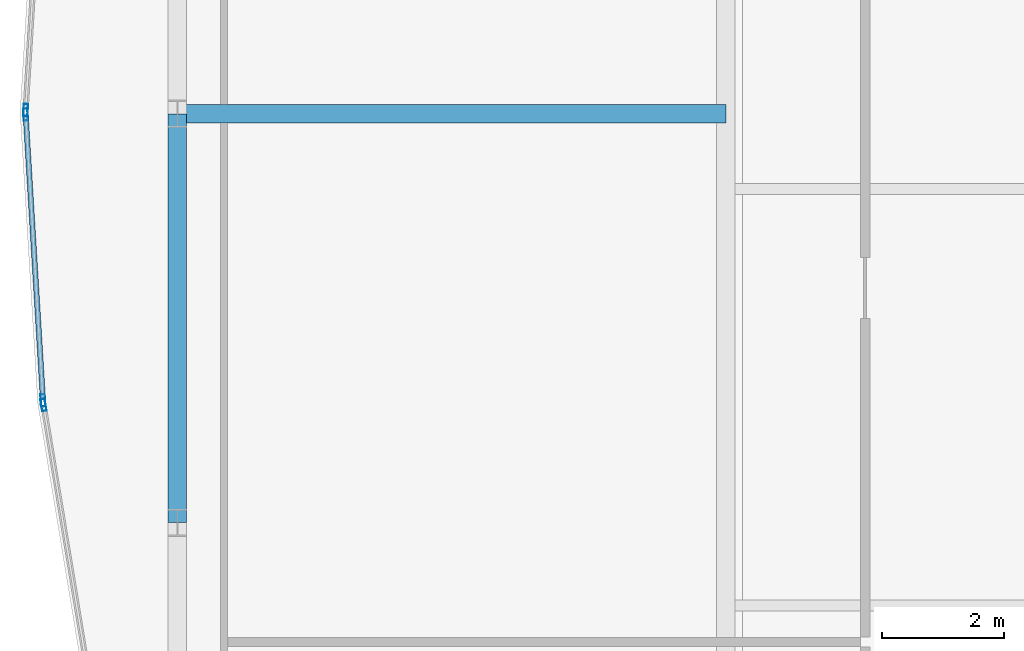
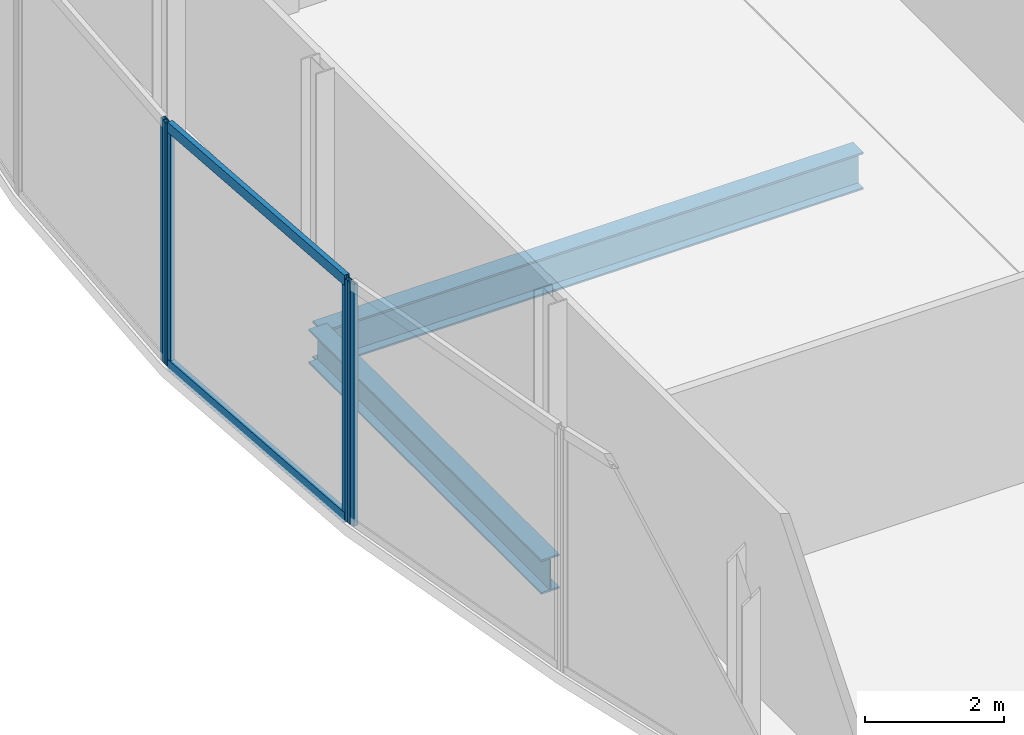
# One storey, part 10 of 28: 6 members, 2 beams, 3 elements without a shape of their own.
"""IFC4 building model written with IfcOpenShell, lengths in metres."""

from ifc_helpers import new_model, si_unit, direction, frame, origin, origin_2d, place, context, subcontext, project, spatial, hollow_rectangle, i_section, extrude, material, material_profile, profile_set, type_object, element, aggregate, save


model = new_model("IFC4")

# Units and contexts
model_context = context("Model", 3, precision=1e-05, world=origin(), true_north=direction((0.0, 1.0)))
body_context = subcontext(model_context, "Body", "Model", "MODEL_VIEW")
ifc_project = project(units=[si_unit("LENGTHUNIT", "METRE"), si_unit("AREAUNIT", "SQUARE_METRE"), si_unit("VOLUMEUNIT", "CUBIC_METRE"), si_unit("PLANEANGLEUNIT", "RADIAN"), si_unit("MASSUNIT", "GRAM", prefix="KILO")], contexts=[model_context])

# Site, building, storey
site_placement = place(None, origin())
site = spatial("IfcSite", under=ifc_project, at=site_placement, CompositionType="ELEMENT")
building_placement = place(site_placement, origin())
building = spatial("IfcBuilding", under=site, at=building_placement, Name="Khoronbel Lancet Exchange", CompositionType="ELEMENT")
storey_placement = place(building_placement, frame((0.0, 0.0, 265.39990234375)))
storey = spatial("IfcBuildingStorey", under=building, at=storey_placement, Name="L68", CompositionType="ELEMENT", Elevation=265.39990234375)

# Beams
ifc_material_1 = material(Name="Steel S355", Category="steel")
ifc_material_profile_1 = material_profile(ifc_material_1, i_section(OverallWidth=0.300048828125, OverallDepth=0.64990234375, WebThickness=0.01611328125, FlangeThickness=0.031005859375, at=origin_2d()), Name="HEB 650")
ifc_profile_set_1 = profile_set([ifc_material_profile_1], Name="Steel S355")
beam_type_1 = type_object("IfcBeamType", Name="BM-BG4", PredefinedType="BEAM", material=ifc_profile_set_1)
beam_1_placement = place(storey_placement, frame((9.27001953125, 31.425048828125, -0.52490234375), z_axis=(1.0, 0.0, 0.0), x_axis=(0.0, 1.0, 0.0)))
element("IfcBeam", 1, at=beam_1_placement, inside=storey, type_object=beam_type_1, Name="Level L68 west lens tie girder LG2W", PredefinedType="BEAM", context=body_context, shape_type="SweptSolid", body=[
    extrude(i_section(OverallWidth=0.300048828125, OverallDepth=0.64990234375, WebThickness=0.01611328125, FlangeThickness=0.031005859375, at=origin_2d()), origin(), (0.0, 0.0, 1.0), 8.955078125),
])
ifc_material_profile_2 = material_profile(ifc_material_1, i_section(OverallWidth=0.300048828125, OverallDepth=0.60009765625, WebThickness=0.015380859375, FlangeThickness=0.030029296875, at=origin_2d()), Name="HEB 600")
ifc_profile_set_2 = profile_set([ifc_material_profile_2], Name="Steel S355")
beam_type_2 = type_object("IfcBeamType", Name="BM-BSP2", PredefinedType="SPANDREL", material=ifc_profile_set_2)
beam_2_placement = place(storey_placement, frame((9.27001953125, 31.425048828125, -0.5), z_axis=(0.0, -1.0, 0.0), x_axis=(1.0, 0.0, 0.0)))
element("IfcBeam", 2, at=beam_2_placement, inside=storey, type_object=beam_type_2, Name="Level L68 perimeter spandrel beam SP19", PredefinedType="SPANDREL", context=body_context, shape_type="SweptSolid", body=[
    extrude(i_section(OverallWidth=0.300048828125, OverallDepth=0.60009765625, WebThickness=0.015380859375, FlangeThickness=0.030029296875, at=origin_2d()), origin(), (0.0, 0.0, 1.0), 6.675048828125),
])

# Curtain wall, member
ifc_material_2 = material(Name="Low-E Solar Control Insulating Glass", Category="glass")
curtain_wall_type = type_object("IfcCurtainWallType", Name="CW-4", PredefinedType="NOTDEFINED", material=ifc_material_2)
curtain_wall_1_placement = place(storey_placement, origin())
curtain_wall_1 = element("IfcCurtainWall", 3, at=curtain_wall_1_placement, inside=storey, type_object=curtain_wall_type, Name="Unitised curtain wall CW-L68-E05", PredefinedType="NOTDEFINED")
ifc_material_3 = material(Name="Bronze-Anodised Aluminium 6063-T6", Category="aluminium")
ifc_material_profile_3 = material_profile(ifc_material_3, hollow_rectangle(XDim=0.074951171875, YDim=0.199951171875, WallThickness=0.0048828125, at=origin_2d()), Name="ALU MULLION 75x200")
ifc_profile_set_3 = profile_set([ifc_material_profile_3], Name="Bronze-Anodised Aluminium 6063-T6")
member_type_1 = type_object("IfcMemberType", Name="MEM-CWM2", PredefinedType="MULLION", material=ifc_profile_set_3)
member_1_placement = place(storey_placement, frame((7.083740234375, 26.673095703125, 0.0), z_axis=(0.0, 0.0, 1.0), x_axis=(-0.986550884803, -0.163454433086, 0.0)))
member_1 = element("IfcMember", 4, at=member_1_placement, type_object=member_type_1, Name="CW4 mullion 2", PredefinedType="MULLION", context=body_context, shape_type="SweptSolid", body=[
    extrude(hollow_rectangle(XDim=0.074951171875, YDim=0.199951171875, WallThickness=0.0048828125, at=origin_2d()), origin(), (0.0, 0.0, 1.0), 4.239990234375),
])
aggregate(curtain_wall_1, [member_1])

# Curtain wall, members
curtain_wall_2_placement = place(storey_placement, origin())
curtain_wall_2 = element("IfcCurtainWall", 5, at=curtain_wall_2_placement, inside=storey, type_object=curtain_wall_type, Name="Unitised curtain wall CW-L68-E06", PredefinedType="NOTDEFINED")
member_2_placement = place(storey_placement, frame((7.075439453125, 26.74755859375, 0.0), z_axis=(0.0, 0.0, 1.0), x_axis=(-0.998166800745, -0.060523036034, 0.0)))
member_2 = element("IfcMember", 6, at=member_2_placement, type_object=member_type_1, Name="CW4 mullion 1", PredefinedType="MULLION", context=body_context, shape_type="SweptSolid", body=[
    extrude(hollow_rectangle(XDim=0.074951171875, YDim=0.199951171875, WallThickness=0.0048828125, at=origin_2d()), origin(), (0.0, 0.0, 1.0), 4.239990234375),
])
member_3_placement = place(storey_placement, frame((6.79248046875, 31.41259765625, 0.0), z_axis=(0.0, 0.0, 1.0), x_axis=(-0.998166800745, -0.060523036034, 0.0)))
member_3 = element("IfcMember", 7, at=member_3_placement, type_object=member_type_1, Name="CW4 mullion 2", PredefinedType="MULLION", context=body_context, shape_type="SweptSolid", body=[
    extrude(hollow_rectangle(XDim=0.074951171875, YDim=0.199951171875, WallThickness=0.0048828125, at=origin_2d()), origin(), (0.0, 0.0, 1.0), 4.239990234375),
])

# Curtain wall, member
curtain_wall_3_placement = place(storey_placement, origin())
curtain_wall_3 = element("IfcCurtainWall", 8, at=curtain_wall_3_placement, inside=storey, type_object=curtain_wall_type, Name="Unitised curtain wall CW-L68-E07", PredefinedType="NOTDEFINED")
member_4_placement = place(storey_placement, frame((6.79248046875, 31.487548828125, 0.0), z_axis=(0.0, 0.0, 1.0), x_axis=(-0.998166800745, 0.060523036034, 0.0)))
member_4 = element("IfcMember", 9, at=member_4_placement, type_object=member_type_1, Name="CW4 mullion 1", PredefinedType="MULLION", context=body_context, shape_type="SweptSolid", body=[
    extrude(hollow_rectangle(XDim=0.074951171875, YDim=0.199951171875, WallThickness=0.0048828125, at=origin_2d()), origin(), (0.0, 0.0, 1.0), 4.239990234375),
])
aggregate(curtain_wall_3, [member_4])

# Member
ifc_material_profile_4 = material_profile(ifc_material_3, hollow_rectangle(XDim=0.0849609375, YDim=0.179931640625, WallThickness=0.0048828125, at=origin_2d()), Name="ALU TRANSOM 85x180")
ifc_profile_set_4 = profile_set([ifc_material_profile_4], Name="Bronze-Anodised Aluminium 6063-T6")
member_type_2 = type_object("IfcMemberType", Name="MEM-CWT1", PredefinedType="USERDEFINED", material=ifc_profile_set_4)
member_5_placement = place(storey_placement, frame((7.072998046875, 26.784912109375, 0.04248046875), z_axis=(-0.060520705984, 0.998166942023, 0.0), x_axis=(-0.998166942023, -0.060520705984, 0.0)))
member_5 = element("IfcMember", 10, at=member_5_placement, type_object=member_type_2, Name="CW4 transom 1.1", ObjectType="TRANSOM", PredefinedType="USERDEFINED", context=body_context, shape_type="SweptSolid", body=[
    extrude(hollow_rectangle(XDim=0.0849609375, YDim=0.179931640625, WallThickness=0.0048828125, at=origin_2d()), origin(), (0.0, 0.0, 1.0), 4.598876953125),
])

member_6_placement = place(storey_placement, frame((7.072998046875, 26.784912109375, 4.197509765625), z_axis=(-0.060520705984, 0.998166942023, 0.0), x_axis=(-0.998166942023, -0.060520705984, 0.0)))
member_6 = element("IfcMember", 11, at=member_6_placement, type_object=member_type_2, Name="CW4 transom 1.2", ObjectType="TRANSOM", PredefinedType="USERDEFINED", context=body_context, shape_type="SweptSolid", body=[
    extrude(hollow_rectangle(XDim=0.0849609375, YDim=0.179931640625, WallThickness=0.0048828125, at=origin_2d()), origin(), (0.0, 0.0, 1.0), 4.598876953125),
])

aggregate(curtain_wall_2, [member_2, member_3, member_5, member_6])

save(model, "model.ifc")
